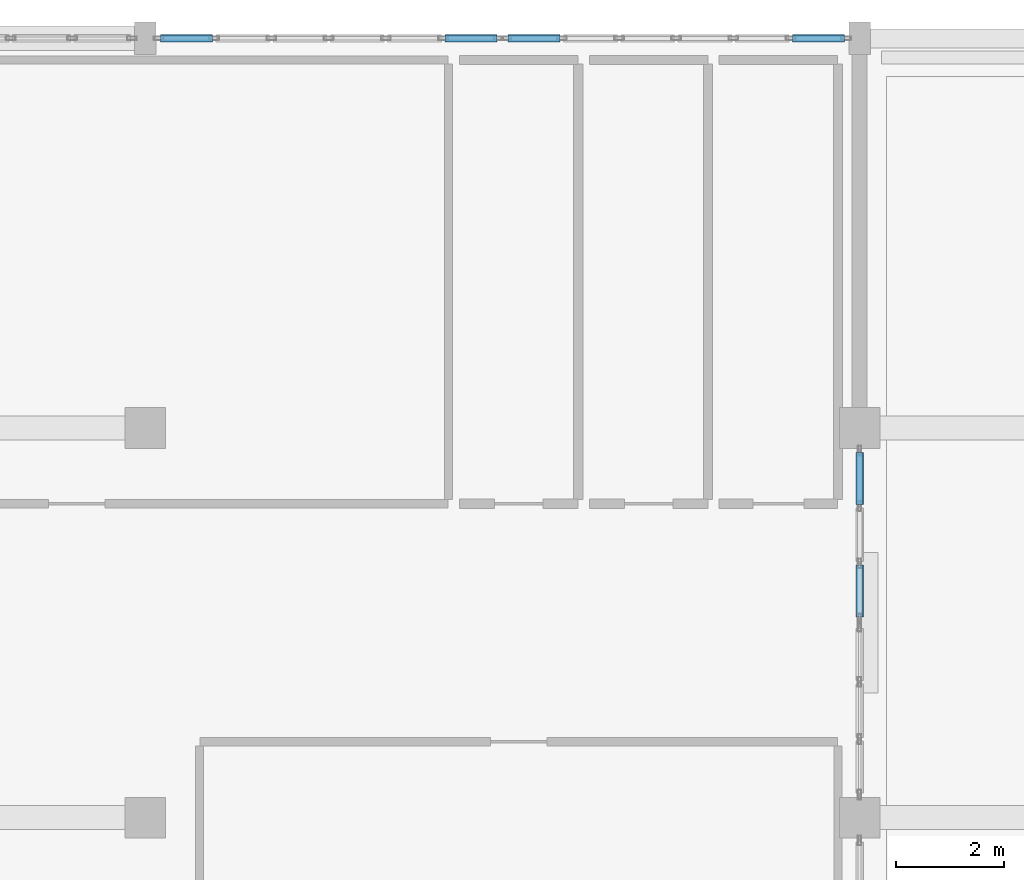
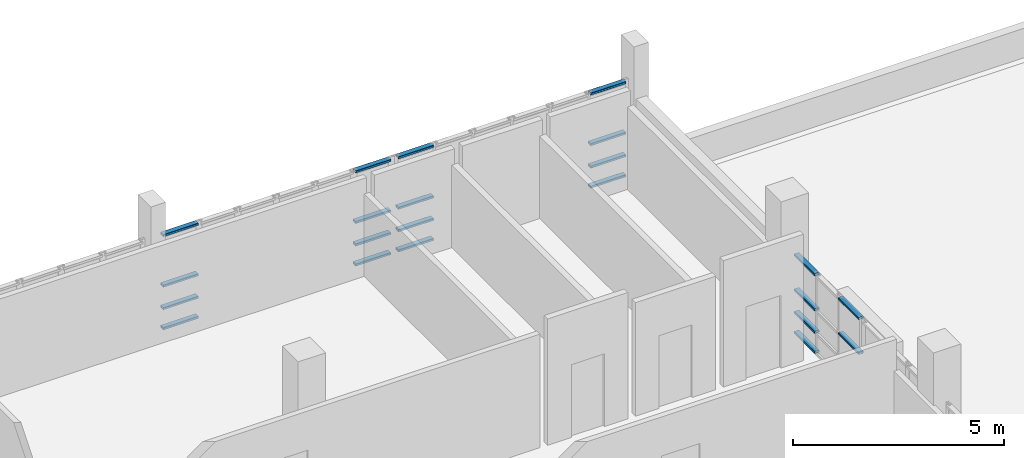
# One storey, part 154 of 188: 22 members, 3 elements without a shape of their own.
"""IFC4 building model written with IfcOpenShell, lengths in metres."""

from ifc_helpers import new_model, si_unit, direction, frame, origin, origin_2d, place, context, subcontext, project, spatial, hollow_rectangle, extrude, material, layer, layer_set, material_profile, profile_set, type_object, element, aggregate, save


model = new_model("IFC4")

# Units and contexts
model_context = context("Model", 3, precision=1e-05, world=origin(), true_north=direction((0.0, 1.0)))
body_context = subcontext(model_context, "Body", "Model", "MODEL_VIEW")
ifc_project = project(units=[si_unit("LENGTHUNIT", "METRE"), si_unit("AREAUNIT", "SQUARE_METRE"), si_unit("VOLUMEUNIT", "CUBIC_METRE"), si_unit("PLANEANGLEUNIT", "RADIAN"), si_unit("MASSUNIT", "GRAM", prefix="KILO")], contexts=[model_context])

# Site, building, storey
site_placement = place(None, origin())
site = spatial("IfcSite", under=ifc_project, at=site_placement, CompositionType="ELEMENT")
building_placement = place(site_placement, origin())
building = spatial("IfcBuilding", under=site, at=building_placement, Name="Kisaragi Civic Commons", CompositionType="ELEMENT")
storey_placement = place(building_placement, frame((0.0, 0.0, 9.60009765625)))
storey = spatial("IfcBuildingStorey", under=building, at=storey_placement, Name="L02", CompositionType="ELEMENT", Elevation=9.60009765625)

# Curtain wall, members
ifc_material = material(Name="Thermally broken anodized aluminium and low-E double glazing", Category="aluminium")
ifc_layer = layer(ifc_material, 0.179931640625, Name="Thermally broken anodized aluminium and low-E double glazing", Category="aluminium")
ifc_layer_set = layer_set([ifc_layer], Name="Thermally broken anodized aluminium and low-E double glazing")
curtain_wall_type = type_object("IfcCurtainWallType", Name="CW-01", PredefinedType="NOTDEFINED", material=ifc_layer_set)
curtain_wall_1_placement = place(storey_placement, origin())
curtain_wall_1 = element("IfcCurtainWall", 1, at=curtain_wall_1_placement, inside=storey, type_object=curtain_wall_type, Name="L02 curtain wall CW-01 CW-V4-L02-087", PredefinedType="NOTDEFINED")
ifc_material_profile = material_profile(ifc_material, hollow_rectangle(XDim=0.139892578125, YDim=0.06494140625, WallThickness=0.00439453125, InnerFilletRadius=0.00439453125, OuterFilletRadius=0.009033203125, at=origin_2d()), Name="CWT-65x140x4.5", Category="aluminium")
ifc_profile_set = profile_set([ifc_material_profile], Name="Thermally broken anodized aluminium and low-E double glazing")
member_type = type_object("IfcMemberType", Name="CWT-02", PredefinedType="USERDEFINED", material=ifc_profile_set)
member_1_placement = place(storey_placement, frame((133.47998046875, 118.800048828125, 0.06982421875), z_axis=(1.0, 0.0, 0.0), x_axis=(0.0, 1.0, 0.0)))
member_1 = element("IfcMember", 2, at=member_1_placement, type_object=member_type, Name="CW-01 transom 1.1", ObjectType="TRANSOM", PredefinedType="USERDEFINED", context=body_context, shape_type="SweptSolid", body=[
    extrude(hollow_rectangle(XDim=0.139892578125, YDim=0.06494140625, WallThickness=0.00439453125, InnerFilletRadius=0.00439453125, OuterFilletRadius=0.009033203125, at=origin_2d()), origin(), (0.0, 0.0, 1.0), 0.9599609375),
])
member_2_placement = place(storey_placement, frame((133.47998046875, 118.800048828125, 0.64990234375), z_axis=(1.0, 0.0, 0.0), x_axis=(0.0, 1.0, 0.0)))
member_2 = element("IfcMember", 3, at=member_2_placement, type_object=member_type, Name="CW-01 transom 1.2", ObjectType="TRANSOM", PredefinedType="USERDEFINED", context=body_context, shape_type="SweptSolid", body=[
    extrude(hollow_rectangle(XDim=0.139892578125, YDim=0.06494140625, WallThickness=0.00439453125, InnerFilletRadius=0.00439453125, OuterFilletRadius=0.009033203125, at=origin_2d()), origin(), (0.0, 0.0, 1.0), 0.9599609375),
])
member_3_placement = place(storey_placement, frame((133.47998046875, 118.800048828125, 1.2998046875), z_axis=(1.0, 0.0, 0.0), x_axis=(0.0, 1.0, 0.0)))
member_3 = element("IfcMember", 4, at=member_3_placement, type_object=member_type, Name="CW-01 transom 1.3", ObjectType="TRANSOM", PredefinedType="USERDEFINED", context=body_context, shape_type="SweptSolid", body=[
    extrude(hollow_rectangle(XDim=0.139892578125, YDim=0.06494140625, WallThickness=0.00439453125, InnerFilletRadius=0.00439453125, OuterFilletRadius=0.009033203125, at=origin_2d()), origin(), (0.0, 0.0, 1.0), 0.9599609375),
])
member_4_placement = place(storey_placement, frame((133.47998046875, 118.800048828125, 2.760009765625), z_axis=(1.0, 0.0, 0.0), x_axis=(0.0, 1.0, 0.0)))
member_4 = element("IfcMember", 5, at=member_4_placement, type_object=member_type, Name="CW-01 transom 1.4", ObjectType="TRANSOM", PredefinedType="USERDEFINED", context=body_context, shape_type="SweptSolid", body=[
    extrude(hollow_rectangle(XDim=0.139892578125, YDim=0.06494140625, WallThickness=0.00439453125, InnerFilletRadius=0.00439453125, OuterFilletRadius=0.009033203125, at=origin_2d()), origin(), (0.0, 0.0, 1.0), 0.9599609375),
])
member_5_placement = place(storey_placement, frame((138.735107421875, 118.800048828125, 0.06982421875), z_axis=(1.0, 0.0, 0.0), x_axis=(0.0, 1.0, 0.0)))
member_5 = element("IfcMember", 6, at=member_5_placement, type_object=member_type, Name="CW-01 transom 6.1", ObjectType="TRANSOM", PredefinedType="USERDEFINED", context=body_context, shape_type="SweptSolid", body=[
    extrude(hollow_rectangle(XDim=0.139892578125, YDim=0.06494140625, WallThickness=0.00439453125, InnerFilletRadius=0.00439453125, OuterFilletRadius=0.009033203125, at=origin_2d()), origin(), (0.0, 0.0, 1.0), 0.9599609375),
])
member_6_placement = place(storey_placement, frame((138.735107421875, 118.800048828125, 0.64990234375), z_axis=(1.0, 0.0, 0.0), x_axis=(0.0, 1.0, 0.0)))
member_6 = element("IfcMember", 7, at=member_6_placement, type_object=member_type, Name="CW-01 transom 6.2", ObjectType="TRANSOM", PredefinedType="USERDEFINED", context=body_context, shape_type="SweptSolid", body=[
    extrude(hollow_rectangle(XDim=0.139892578125, YDim=0.06494140625, WallThickness=0.00439453125, InnerFilletRadius=0.00439453125, OuterFilletRadius=0.009033203125, at=origin_2d()), origin(), (0.0, 0.0, 1.0), 0.9599609375),
])
member_7_placement = place(storey_placement, frame((138.735107421875, 118.800048828125, 1.2998046875), z_axis=(1.0, 0.0, 0.0), x_axis=(0.0, 1.0, 0.0)))
member_7 = element("IfcMember", 8, at=member_7_placement, type_object=member_type, Name="CW-01 transom 6.3", ObjectType="TRANSOM", PredefinedType="USERDEFINED", context=body_context, shape_type="SweptSolid", body=[
    extrude(hollow_rectangle(XDim=0.139892578125, YDim=0.06494140625, WallThickness=0.00439453125, InnerFilletRadius=0.00439453125, OuterFilletRadius=0.009033203125, at=origin_2d()), origin(), (0.0, 0.0, 1.0), 0.9599609375),
])
member_8_placement = place(storey_placement, frame((138.735107421875, 118.800048828125, 2.760009765625), z_axis=(1.0, 0.0, 0.0), x_axis=(0.0, 1.0, 0.0)))
member_8 = element("IfcMember", 9, at=member_8_placement, type_object=member_type, Name="CW-01 transom 6.4", ObjectType="TRANSOM", PredefinedType="USERDEFINED", context=body_context, shape_type="SweptSolid", body=[
    extrude(hollow_rectangle(XDim=0.139892578125, YDim=0.06494140625, WallThickness=0.00439453125, InnerFilletRadius=0.00439453125, OuterFilletRadius=0.009033203125, at=origin_2d()), origin(), (0.0, 0.0, 1.0), 0.9599609375),
])
aggregate(curtain_wall_1, [member_1, member_2, member_3, member_4, member_5, member_6, member_7, member_8])

curtain_wall_2_placement = place(storey_placement, origin())
curtain_wall_2 = element("IfcCurtainWall", 10, at=curtain_wall_2_placement, inside=storey, type_object=curtain_wall_type, Name="L02 curtain wall CW-01 CW-V4-L02-088", PredefinedType="NOTDEFINED")
member_9_placement = place(storey_placement, frame((139.905029296875, 118.800048828125, 0.06982421875), z_axis=(1.0, 0.0, 0.0), x_axis=(0.0, 1.0, 0.0)))
member_9 = element("IfcMember", 11, at=member_9_placement, type_object=member_type, Name="CW-01 transom 1.1", ObjectType="TRANSOM", PredefinedType="USERDEFINED", context=body_context, shape_type="SweptSolid", body=[
    extrude(hollow_rectangle(XDim=0.139892578125, YDim=0.06494140625, WallThickness=0.00439453125, InnerFilletRadius=0.00439453125, OuterFilletRadius=0.009033203125, at=origin_2d()), origin(), (0.0, 0.0, 1.0), 0.9599609375),
])
member_10_placement = place(storey_placement, frame((139.905029296875, 118.800048828125, 0.64990234375), z_axis=(1.0, 0.0, 0.0), x_axis=(0.0, 1.0, 0.0)))
member_10 = element("IfcMember", 12, at=member_10_placement, type_object=member_type, Name="CW-01 transom 1.2", ObjectType="TRANSOM", PredefinedType="USERDEFINED", context=body_context, shape_type="SweptSolid", body=[
    extrude(hollow_rectangle(XDim=0.139892578125, YDim=0.06494140625, WallThickness=0.00439453125, InnerFilletRadius=0.00439453125, OuterFilletRadius=0.009033203125, at=origin_2d()), origin(), (0.0, 0.0, 1.0), 0.9599609375),
])
member_11_placement = place(storey_placement, frame((139.905029296875, 118.800048828125, 1.2998046875), z_axis=(1.0, 0.0, 0.0), x_axis=(0.0, 1.0, 0.0)))
member_11 = element("IfcMember", 13, at=member_11_placement, type_object=member_type, Name="CW-01 transom 1.3", ObjectType="TRANSOM", PredefinedType="USERDEFINED", context=body_context, shape_type="SweptSolid", body=[
    extrude(hollow_rectangle(XDim=0.139892578125, YDim=0.06494140625, WallThickness=0.00439453125, InnerFilletRadius=0.00439453125, OuterFilletRadius=0.009033203125, at=origin_2d()), origin(), (0.0, 0.0, 1.0), 0.9599609375),
])
member_12_placement = place(storey_placement, frame((139.905029296875, 118.800048828125, 2.760009765625), z_axis=(1.0, 0.0, 0.0), x_axis=(0.0, 1.0, 0.0)))
member_12 = element("IfcMember", 14, at=member_12_placement, type_object=member_type, Name="CW-01 transom 1.4", ObjectType="TRANSOM", PredefinedType="USERDEFINED", context=body_context, shape_type="SweptSolid", body=[
    extrude(hollow_rectangle(XDim=0.139892578125, YDim=0.06494140625, WallThickness=0.00439453125, InnerFilletRadius=0.00439453125, OuterFilletRadius=0.009033203125, at=origin_2d()), origin(), (0.0, 0.0, 1.0), 0.9599609375),
])
member_13_placement = place(storey_placement, frame((145.159912109375, 118.800048828125, 0.06982421875), z_axis=(1.0, 0.0, 0.0), x_axis=(0.0, 1.0, 0.0)))
member_13 = element("IfcMember", 15, at=member_13_placement, type_object=member_type, Name="CW-01 transom 6.1", ObjectType="TRANSOM", PredefinedType="USERDEFINED", context=body_context, shape_type="SweptSolid", body=[
    extrude(hollow_rectangle(XDim=0.139892578125, YDim=0.06494140625, WallThickness=0.00439453125, InnerFilletRadius=0.00439453125, OuterFilletRadius=0.009033203125, at=origin_2d()), origin(), (0.0, 0.0, 1.0), 0.960205078125),
])
member_14_placement = place(storey_placement, frame((145.159912109375, 118.800048828125, 0.64990234375), z_axis=(1.0, 0.0, 0.0), x_axis=(0.0, 1.0, 0.0)))
member_14 = element("IfcMember", 16, at=member_14_placement, type_object=member_type, Name="CW-01 transom 6.2", ObjectType="TRANSOM", PredefinedType="USERDEFINED", context=body_context, shape_type="SweptSolid", body=[
    extrude(hollow_rectangle(XDim=0.139892578125, YDim=0.06494140625, WallThickness=0.00439453125, InnerFilletRadius=0.00439453125, OuterFilletRadius=0.009033203125, at=origin_2d()), origin(), (0.0, 0.0, 1.0), 0.960205078125),
])
member_15_placement = place(storey_placement, frame((145.159912109375, 118.800048828125, 1.2998046875), z_axis=(1.0, 0.0, 0.0), x_axis=(0.0, 1.0, 0.0)))
member_15 = element("IfcMember", 17, at=member_15_placement, type_object=member_type, Name="CW-01 transom 6.3", ObjectType="TRANSOM", PredefinedType="USERDEFINED", context=body_context, shape_type="SweptSolid", body=[
    extrude(hollow_rectangle(XDim=0.139892578125, YDim=0.06494140625, WallThickness=0.00439453125, InnerFilletRadius=0.00439453125, OuterFilletRadius=0.009033203125, at=origin_2d()), origin(), (0.0, 0.0, 1.0), 0.960205078125),
])
member_16_placement = place(storey_placement, frame((145.159912109375, 118.800048828125, 2.760009765625), z_axis=(1.0, 0.0, 0.0), x_axis=(0.0, 1.0, 0.0)))
member_16 = element("IfcMember", 18, at=member_16_placement, type_object=member_type, Name="CW-01 transom 6.4", ObjectType="TRANSOM", PredefinedType="USERDEFINED", context=body_context, shape_type="SweptSolid", body=[
    extrude(hollow_rectangle(XDim=0.139892578125, YDim=0.06494140625, WallThickness=0.00439453125, InnerFilletRadius=0.00439453125, OuterFilletRadius=0.009033203125, at=origin_2d()), origin(), (0.0, 0.0, 1.0), 0.960205078125),
])
aggregate(curtain_wall_2, [member_9, member_10, member_11, member_12, member_13, member_14, member_15, member_16])

curtain_wall_3_placement = place(storey_placement, origin())
curtain_wall_3 = element("IfcCurtainWall", 19, at=curtain_wall_3_placement, inside=storey, type_object=curtain_wall_type, Name="L02 curtain wall CW-01 CW-V4-L02-089", PredefinedType="NOTDEFINED")
member_17_placement = place(storey_placement, frame((146.39990234375, 111.14501953125, 0.06982421875), z_axis=(0.0, -1.0, 0.0), x_axis=(1.0, 0.0, 0.0)))
member_17 = element("IfcMember", 20, at=member_17_placement, type_object=member_type, Name="CW-01 transom 1.1", ObjectType="TRANSOM", PredefinedType="USERDEFINED", context=body_context, shape_type="SweptSolid", body=[
    extrude(hollow_rectangle(XDim=0.139892578125, YDim=0.06494140625, WallThickness=0.00439453125, InnerFilletRadius=0.00439453125, OuterFilletRadius=0.009033203125, at=origin_2d()), origin(), (0.0, 0.0, 1.0), 0.959228515625),
])
member_18_placement = place(storey_placement, frame((146.39990234375, 111.14501953125, 0.64990234375), z_axis=(0.0, -1.0, 0.0), x_axis=(1.0, 0.0, 0.0)))
member_18 = element("IfcMember", 21, at=member_18_placement, type_object=member_type, Name="CW-01 transom 1.2", ObjectType="TRANSOM", PredefinedType="USERDEFINED", context=body_context, shape_type="SweptSolid", body=[
    extrude(hollow_rectangle(XDim=0.139892578125, YDim=0.06494140625, WallThickness=0.00439453125, InnerFilletRadius=0.00439453125, OuterFilletRadius=0.009033203125, at=origin_2d()), origin(), (0.0, 0.0, 1.0), 0.959228515625),
])
member_19_placement = place(storey_placement, frame((146.39990234375, 111.14501953125, 1.2998046875), z_axis=(0.0, -1.0, 0.0), x_axis=(1.0, 0.0, 0.0)))
member_19 = element("IfcMember", 22, at=member_19_placement, type_object=member_type, Name="CW-01 transom 1.3", ObjectType="TRANSOM", PredefinedType="USERDEFINED", context=body_context, shape_type="SweptSolid", body=[
    extrude(hollow_rectangle(XDim=0.139892578125, YDim=0.06494140625, WallThickness=0.00439453125, InnerFilletRadius=0.00439453125, OuterFilletRadius=0.009033203125, at=origin_2d()), origin(), (0.0, 0.0, 1.0), 0.959228515625),
])
member_20_placement = place(storey_placement, frame((146.39990234375, 111.14501953125, 2.309814453125), z_axis=(0.0, -1.0, 0.0), x_axis=(1.0, 0.0, 0.0)))
member_20 = element("IfcMember", 23, at=member_20_placement, type_object=member_type, Name="CW-01 transom 1.4", ObjectType="TRANSOM", PredefinedType="USERDEFINED", context=body_context, shape_type="SweptSolid", body=[
    extrude(hollow_rectangle(XDim=0.139892578125, YDim=0.06494140625, WallThickness=0.00439453125, InnerFilletRadius=0.00439453125, OuterFilletRadius=0.009033203125, at=origin_2d()), origin(), (0.0, 0.0, 1.0), 0.959228515625),
])
member_21_placement = place(storey_placement, frame((146.39990234375, 109.064208984375, 1.2998046875), z_axis=(0.0, -1.0, 0.0), x_axis=(1.0, 0.0, 0.0)))
member_21 = element("IfcMember", 24, at=member_21_placement, type_object=member_type, Name="CW-01 transom 3.3", ObjectType="TRANSOM", PredefinedType="USERDEFINED", context=body_context, shape_type="SweptSolid", body=[
    extrude(hollow_rectangle(XDim=0.139892578125, YDim=0.06494140625, WallThickness=0.00439453125, InnerFilletRadius=0.00439453125, OuterFilletRadius=0.009033203125, at=origin_2d()), origin(), (0.0, 0.0, 1.0), 0.959228515625),
])
member_22_placement = place(storey_placement, frame((146.39990234375, 109.064208984375, 2.309814453125), z_axis=(0.0, -1.0, 0.0), x_axis=(1.0, 0.0, 0.0)))
member_22 = element("IfcMember", 25, at=member_22_placement, type_object=member_type, Name="CW-01 transom 3.4", ObjectType="TRANSOM", PredefinedType="USERDEFINED", context=body_context, shape_type="SweptSolid", body=[
    extrude(hollow_rectangle(XDim=0.139892578125, YDim=0.06494140625, WallThickness=0.00439453125, InnerFilletRadius=0.00439453125, OuterFilletRadius=0.009033203125, at=origin_2d()), origin(), (0.0, 0.0, 1.0), 0.959228515625),
])
aggregate(curtain_wall_3, [member_17, member_18, member_19, member_20, member_21, member_22])

save(model, "model.ifc")
